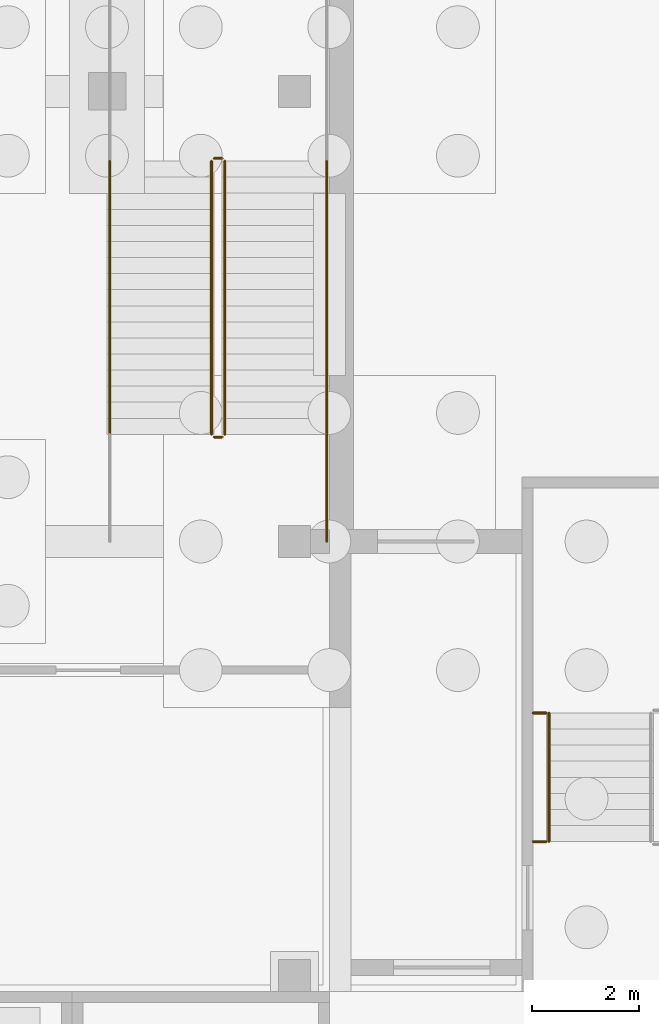
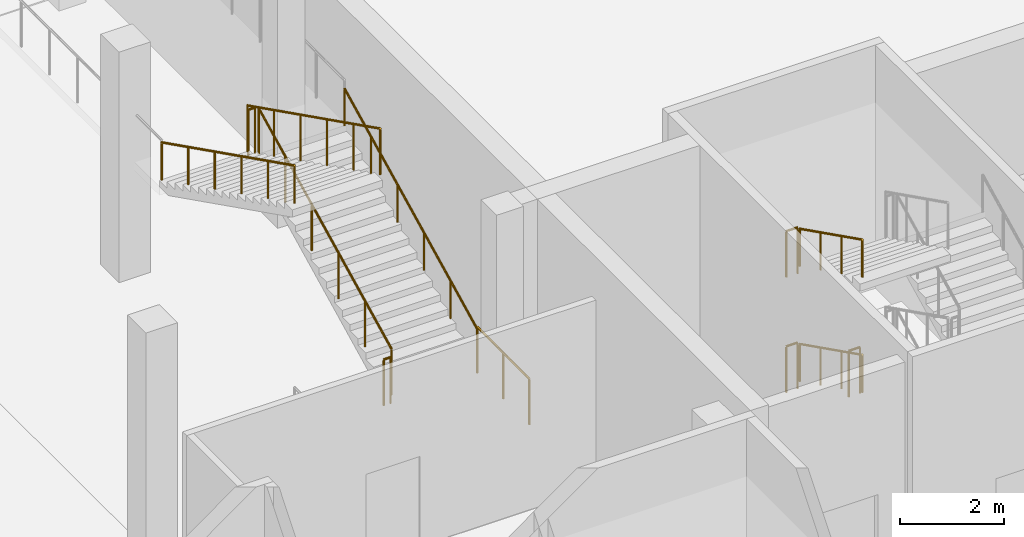
# One storey, part 109 of 129: 12 railings.
"""IFC4 building model written with IfcOpenShell, lengths in metres."""

from ifc_helpers import new_model, si_unit, direction, frame, origin, origin_2d, place, context, subcontext, project, spatial, circle, extrude, material, type_object, element, save


model = new_model("IFC4")

# Units and contexts
model_context = context("Model", 3, precision=1e-05, world=origin(), true_north=direction((0.0, 1.0)))
body_context = subcontext(model_context, "Body", "Model", "MODEL_VIEW")
ifc_project = project(units=[si_unit("LENGTHUNIT", "METRE"), si_unit("AREAUNIT", "SQUARE_METRE"), si_unit("VOLUMEUNIT", "CUBIC_METRE"), si_unit("PLANEANGLEUNIT", "RADIAN"), si_unit("MASSUNIT", "GRAM", prefix="KILO")], contexts=[model_context])

# Site, building, storey
site_placement = place(None, origin())
site = spatial("IfcSite", under=ifc_project, at=site_placement, CompositionType="ELEMENT")
building_placement = place(site_placement, origin())
building = spatial("IfcBuilding", under=site, at=building_placement, Name="Kiln Court Media Centre", CompositionType="ELEMENT")
storey_placement = place(building_placement, origin())
storey = spatial("IfcBuildingStorey", under=building, at=storey_placement, Name="L00", CompositionType="ELEMENT", Elevation=0.0)

# Railings
ifc_material_1 = material(Name="Steel S275", Category="steel")
railing_type_1 = type_object("IfcRailingType", Name="Steel S275 stair guard 1100", PredefinedType="GUARDRAIL", material=ifc_material_1)
for number, where, name in (
    (1, (62.85009765625, 30.39990234375, 1.35009765625), "ST-09 landing edge guard"),
    (2, (62.85009765625, 28.0, 2.699951171875), "ST-09 landing edge guard"),
    (3, (62.85009765625, 30.39990234375, 4.050048828125), "ST-09 landing edge guard"),
):
    element("IfcRailing", number, at=place(storey_placement, frame(where)), inside=storey, type_object=railing_type_1, Name=name, PredefinedType="GUARDRAIL", context=body_context, shape_type="SweptSolid", body=[
        extrude(circle(Radius=0.02392578125, at=origin_2d()), frame((0.0, 0.0, 1.076171875), z_axis=(-1.0, 0.0, 0.0), x_axis=(0.0, -1.0, 0.0)), (0.0, 0.0, 1.0), 0.25),
        extrude(circle(Radius=0.02099609375, at=origin_2d()), origin(), (0.0, 0.0, 1.0), 1.052001953125),
        extrude(circle(Radius=0.02099609375, at=origin_2d()), frame((-0.25, 0.0, 0.0)), (0.0, 0.0, 1.0), 1.052001953125),
    ])
railing_1_placement = place(storey_placement, frame((56.85009765625, 35.60009765625, 0.14990234375)))
element("IfcRailing", 4, at=railing_1_placement, inside=storey, type_object=railing_type_1, Name="ST-F1 stair guard", PredefinedType="GUARDRAIL", context=body_context, shape_type="SweptSolid", body=[
    extrude(circle(Radius=0.02392578125, at=origin_2d()), frame((0.0, 0.0, 1.076171875), z_axis=(0.0, 0.894418627299, 0.447230722492), x_axis=(-1.0, 0.0, 0.0)), (0.0, 0.0, 1.0), 5.701904296875),
    extrude(circle(Radius=0.02099609375, at=origin_2d()), origin(), (0.0, 0.0, 1.0), 1.052001953125),
    extrude(circle(Radius=0.02099609375, at=origin_2d()), frame((0.0, 1.02001953125, 0.510009765625)), (0.0, 0.0, 1.0), 1.052001953125),
    extrude(circle(Radius=0.02099609375, at=origin_2d()), frame((0.0, 2.0400390625, 1.02001953125)), (0.0, 0.0, 1.0), 1.052001953125),
    extrude(circle(Radius=0.02099609375, at=origin_2d()), frame((0.0, 3.059814453125, 1.530029296875)), (0.0, 0.0, 1.0), 1.052001953125),
    extrude(circle(Radius=0.02099609375, at=origin_2d()), frame((0.0, 4.079833984375, 2.0400390625)), (0.0, 0.0, 1.0), 1.052001953125),
    extrude(circle(Radius=0.02099609375, at=origin_2d()), frame((0.0, 5.099853515625, 2.550048828125)), (0.0, 0.0, 1.0), 1.052001953125),
])
railing_2_placement = place(storey_placement, frame((56.800048828125, 40.75, 2.699951171875)))
element("IfcRailing", 5, at=railing_2_placement, inside=storey, type_object=railing_type_1, Name="ST-F1 stair guard", PredefinedType="GUARDRAIL", context=body_context, shape_type="SweptSolid", body=[
    extrude(circle(Radius=0.02392578125, at=origin_2d()), frame((0.0, 0.0, 1.076171875), z_axis=(-1.0, 0.0, 0.0), x_axis=(0.0, -1.0, 0.0)), (0.0, 0.0, 1.0), 0.150146484375),
    extrude(circle(Radius=0.02099609375, at=origin_2d()), origin(), (0.0, 0.0, 1.0), 1.052001953125),
    extrude(circle(Radius=0.02099609375, at=origin_2d()), frame((-0.150146484375, 0.0, 0.0)), (0.0, 0.0, 1.0), 1.052001953125),
])
railing_3_placement = place(storey_placement, frame((56.60009765625, 40.699951171875, 2.85009765625)))
element("IfcRailing", 6, at=railing_3_placement, inside=storey, type_object=railing_type_1, Name="ST-F1 stair guard", PredefinedType="GUARDRAIL", context=body_context, shape_type="SweptSolid", body=[
    extrude(circle(Radius=0.02392578125, at=origin_2d()), frame((0.0, 0.0, 1.076171875), z_axis=(0.0, -0.894435754537, 0.447196468016), x_axis=(1.0, 0.0, 0.0)), (0.0, 0.0, 1.0), 5.70166015625),
    extrude(circle(Radius=0.02099609375, at=origin_2d()), origin(), (0.0, 0.0, 1.0), 1.052001953125),
    extrude(circle(Radius=0.02099609375, at=origin_2d()), frame((0.0, -1.02001953125, 0.510009765625)), (0.0, 0.0, 1.0), 1.052001953125),
    extrude(circle(Radius=0.02099609375, at=origin_2d()), frame((0.0, -2.0400390625, 1.02001953125)), (0.0, 0.0, 1.0), 1.052001953125),
    extrude(circle(Radius=0.02099609375, at=origin_2d()), frame((0.0, -3.059814453125, 1.52978515625)), (0.0, 0.0, 1.0), 1.052001953125),
    extrude(circle(Radius=0.02099609375, at=origin_2d()), frame((0.0, -4.079833984375, 2.039794921875)), (0.0, 0.0, 1.0), 1.052001953125),
    extrude(circle(Radius=0.02099609375, at=origin_2d()), frame((0.0, -5.099853515625, 2.5498046875)), (0.0, 0.0, 1.0), 1.052001953125),
])
railing_4_placement = place(storey_placement, frame((56.800048828125, 35.550048828125, 0.0)))
element("IfcRailing", 7, at=railing_4_placement, inside=storey, type_object=railing_type_1, Name="ST-F1 stair guard", PredefinedType="GUARDRAIL", context=body_context, shape_type="SweptSolid", body=[
    extrude(circle(Radius=0.02392578125, at=origin_2d()), frame((0.0, 0.0, 1.076171875), z_axis=(-1.0, 0.0, 0.0), x_axis=(0.0, -1.0, 0.0)), (0.0, 0.0, 1.0), 0.150146484375),
    extrude(circle(Radius=0.02099609375, at=origin_2d()), origin(), (0.0, 0.0, 1.0), 1.052001953125),
    extrude(circle(Radius=0.02099609375, at=origin_2d()), frame((-0.150146484375, 0.0, 0.0)), (0.0, 0.0, 1.0), 1.052001953125),
])
railing_5_placement = place(storey_placement, frame((58.75, 33.60009765625, 0.0)))
element("IfcRailing", 8, at=railing_5_placement, inside=storey, type_object=railing_type_1, Name="ST-F1 stair guard", PredefinedType="GUARDRAIL", context=body_context, shape_type="SweptSolid", body=[
    extrude(circle(Radius=0.02392578125, at=origin_2d()), frame((0.0, 0.0, 1.076171875), z_axis=(0.0, 1.0, 0.0), x_axis=(-1.0, 0.0, 0.0)), (0.0, 0.0, 1.0), 2.0),
    extrude(circle(Radius=0.02099609375, at=origin_2d()), origin(), (0.0, 0.0, 1.0), 1.052001953125),
    extrude(circle(Radius=0.02099609375, at=origin_2d()), frame((0.0, 1.0, 0.0)), (0.0, 0.0, 1.0), 1.052001953125),
    extrude(circle(Radius=0.02099609375, at=origin_2d()), frame((0.0, 2.0, 0.0)), (0.0, 0.0, 1.0), 1.052001953125),
])
ifc_material_2 = material(Name="Steel S275", Category="steel")
railing_type_2 = type_object("IfcRailingType", Name="Steel S275 stair handrail 900", PredefinedType="HANDRAIL", material=ifc_material_2)
for number, where, name in (
    (9, (62.89990234375, 30.39990234375, 1.5), "ST-09 stair handrail"),
    (10, (62.89990234375, 30.39990234375, 4.199951171875), "ST-09 stair handrail"),
):
    element("IfcRailing", number, at=place(storey_placement, frame(where)), inside=storey, type_object=railing_type_2, Name=name, PredefinedType="HANDRAIL", context=body_context, shape_type="SweptSolid", body=[
        extrude(circle(Radius=0.02392578125, at=origin_2d()), frame((0.0, 0.0, 0.8759765625), z_axis=(0.0, -0.894427191, 0.4472135955), x_axis=(1.0, 0.0, 0.0)), (0.0, 0.0, 1.0), 2.68310546875),
        extrude(circle(Radius=0.02099609375, at=origin_2d()), origin(), (0.0, 0.0, 1.0), 0.851806640625),
        extrude(circle(Radius=0.02099609375, at=origin_2d()), frame((0.0, -0.800048828125, 0.39990234375)), (0.0, 0.0, 1.0), 0.851806640625),
        extrude(circle(Radius=0.02099609375, at=origin_2d()), frame((0.0, -1.599853515625, 0.800048828125)), (0.0, 0.0, 1.0), 0.851806640625),
        extrude(circle(Radius=0.02099609375, at=origin_2d()), frame((0.0, -2.39990234375, 1.199951171875)), (0.0, 0.0, 1.0), 0.851806640625),
    ])
railing_6_placement = place(storey_placement, frame((58.75, 35.60009765625, 0.14990234375)))
element("IfcRailing", 11, at=railing_6_placement, inside=storey, type_object=railing_type_2, Name="ST-F1 stair handrail", PredefinedType="HANDRAIL", context=body_context, shape_type="SweptSolid", body=[
    extrude(circle(Radius=0.02392578125, at=origin_2d()), frame((0.0, 0.0, 0.8759765625), z_axis=(0.0, 0.894418627299, 0.447230722492), x_axis=(-1.0, 0.0, 0.0)), (0.0, 0.0, 1.0), 5.701904296875),
    extrude(circle(Radius=0.02099609375, at=origin_2d()), origin(), (0.0, 0.0, 1.0), 0.851806640625),
    extrude(circle(Radius=0.02099609375, at=origin_2d()), frame((0.0, 1.02001953125, 0.510009765625)), (0.0, 0.0, 1.0), 0.851806640625),
    extrude(circle(Radius=0.02099609375, at=origin_2d()), frame((0.0, 2.0400390625, 1.02001953125)), (0.0, 0.0, 1.0), 0.851806640625),
    extrude(circle(Radius=0.02099609375, at=origin_2d()), frame((0.0, 3.059814453125, 1.530029296875)), (0.0, 0.0, 1.0), 0.851806640625),
    extrude(circle(Radius=0.02099609375, at=origin_2d()), frame((0.0, 4.079833984375, 2.0400390625)), (0.0, 0.0, 1.0), 0.851806640625),
    extrude(circle(Radius=0.02099609375, at=origin_2d()), frame((0.0, 5.099853515625, 2.550048828125)), (0.0, 0.0, 1.0), 0.851806640625),
])
railing_7_placement = place(storey_placement, frame((54.699951171875, 40.699951171875, 2.85009765625)))
element("IfcRailing", 12, at=railing_7_placement, inside=storey, type_object=railing_type_2, Name="ST-F1 stair handrail", PredefinedType="HANDRAIL", context=body_context, shape_type="SweptSolid", body=[
    extrude(circle(Radius=0.02392578125, at=origin_2d()), frame((0.0, 0.0, 0.8759765625), z_axis=(0.0, -0.894435754537, 0.447196468016), x_axis=(1.0, 0.0, 0.0)), (0.0, 0.0, 1.0), 5.70166015625),
    extrude(circle(Radius=0.02099609375, at=origin_2d()), origin(), (0.0, 0.0, 1.0), 0.851806640625),
    extrude(circle(Radius=0.02099609375, at=origin_2d()), frame((0.0, -1.02001953125, 0.510009765625)), (0.0, 0.0, 1.0), 0.851806640625),
    extrude(circle(Radius=0.02099609375, at=origin_2d()), frame((0.0, -2.0400390625, 1.02001953125)), (0.0, 0.0, 1.0), 0.851806640625),
    extrude(circle(Radius=0.02099609375, at=origin_2d()), frame((0.0, -3.059814453125, 1.52978515625)), (0.0, 0.0, 1.0), 0.851806640625),
    extrude(circle(Radius=0.02099609375, at=origin_2d()), frame((0.0, -4.079833984375, 2.039794921875)), (0.0, 0.0, 1.0), 0.851806640625),
    extrude(circle(Radius=0.02099609375, at=origin_2d()), frame((0.0, -5.099853515625, 2.5498046875)), (0.0, 0.0, 1.0), 0.851806640625),
])

save(model, "model.ifc")
